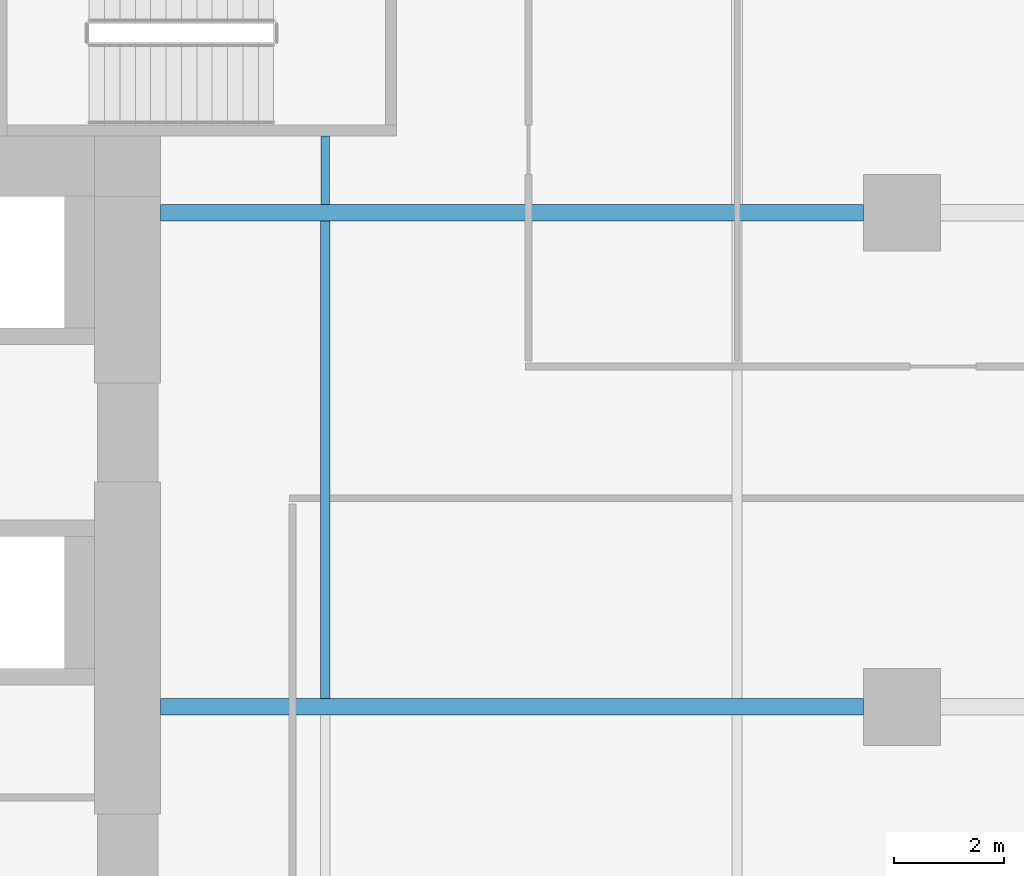
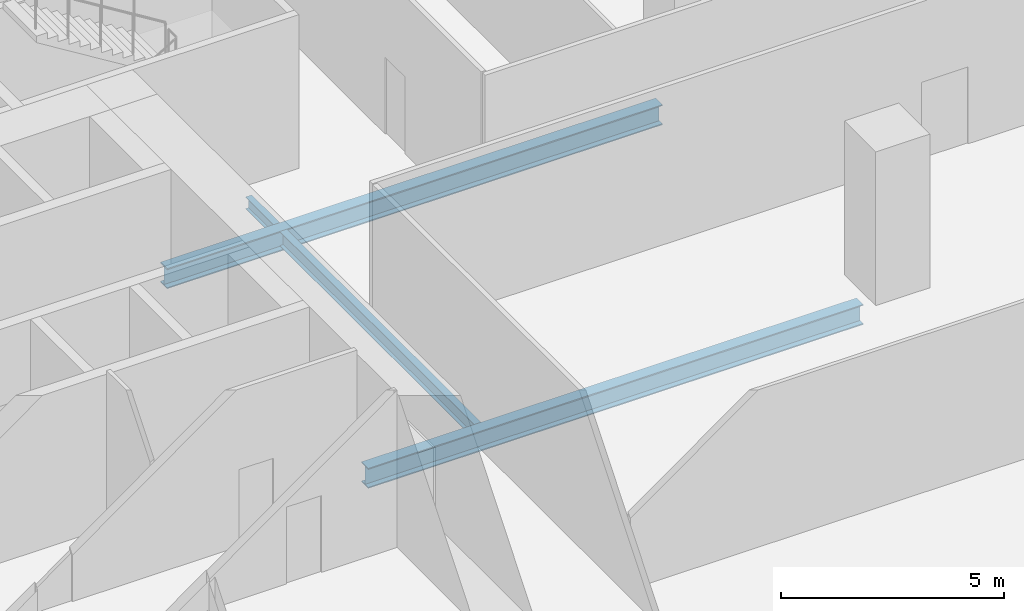
# One storey, part 13 of 33: 4 beams.
"""IFC4 building model written with IfcOpenShell, lengths in metres."""

from ifc_helpers import new_model, si_unit, direction, frame, origin, origin_2d, place, context, subcontext, project, spatial, i_section, extrude, source, transform, mapped, material, material_profile, profile_set, type_object, element, save


model = new_model("IFC4")

# Units and contexts
model_context = context("Model", 3, precision=1e-05, world=origin(), true_north=direction((0.0, 1.0)))
body_context = subcontext(model_context, "Body", "Model", "MODEL_VIEW")
ifc_project = project(units=[si_unit("LENGTHUNIT", "METRE"), si_unit("AREAUNIT", "SQUARE_METRE"), si_unit("VOLUMEUNIT", "CUBIC_METRE"), si_unit("PLANEANGLEUNIT", "RADIAN"), si_unit("MASSUNIT", "GRAM", prefix="KILO")], contexts=[model_context])

# Site, building, storey
site_placement = place(None, origin())
site = spatial("IfcSite", under=ifc_project, at=site_placement, CompositionType="ELEMENT")
building_placement = place(site_placement, origin())
building = spatial("IfcBuilding", under=site, at=building_placement, Name="Khomas Fold Tower", CompositionType="ELEMENT")
storey_placement = place(building_placement, frame((0.0, 0.0, 55.5)))
storey = spatial("IfcBuildingStorey", under=building, at=storey_placement, Name="L11", CompositionType="ELEMENT", Elevation=55.5)

# Beams
ifc_material_1 = material(Name="Steel S355", Category="steel")
ifc_material_profile_1 = material_profile(ifc_material_1, i_section(OverallWidth=0.300048828125, OverallDepth=0.550048828125, WebThickness=0.014892578125, FlangeThickness=0.029052734375, at=origin_2d()), Name="HE 550 B")
ifc_profile_set_1 = profile_set([ifc_material_profile_1], Name="Steel S355")
beam_type_1 = type_object("IfcBeamType", Name="HE 550 B beam GB4", PredefinedType="BEAM", material=ifc_profile_set_1)
shared_shape_1 = source(origin(), body_context, "Body", "SweptSolid", [
    extrude(i_section(OverallWidth=0.300048828125, OverallDepth=0.550048828125, WebThickness=0.014892578125, FlangeThickness=0.029052734375, at=origin_2d()), origin(), (0.0, 0.0, 1.0), 12.800048828125),
])
for number, where, z_axis, x_axis, name in (
    (1, (24.0, 31.5, -0.574951171875), (1.0, 0.0, 0.0), (0.0, 1.0, 0.0), "GB4"),
    (2, (24.0, 40.5, -0.574951171875), (1.0, 0.0, 0.0), (0.0, 1.0, 0.0), "GB4"),
):
    element("IfcBeam", number, at=place(storey_placement, frame(where, z_axis=z_axis, x_axis=x_axis)), inside=storey, type_object=beam_type_1, Name=name, PredefinedType="BEAM", context=body_context, shape_type="MappedRepresentation", body=[
        mapped(shared_shape_1, transform((0.0, 0.0, 0.0))),
    ])
ifc_material_2 = material(Name="Steel S355", Category="steel")
ifc_material_profile_2 = material_profile(ifc_material_2, i_section(OverallWidth=0.179931640625, OverallDepth=0.39990234375, WebThickness=0.008544921875, FlangeThickness=0.013427734375, at=origin_2d()), Name="IPE 400")
ifc_profile_set_2 = profile_set([ifc_material_profile_2], Name="Steel S355")
beam_type_2 = type_object("IfcBeamType", Name="IPE 400 beam JB3", PredefinedType="BEAM", material=ifc_profile_set_2)
shared_shape_2 = source(origin(), body_context, "Body", "SweptSolid", [
    extrude(i_section(OverallWidth=0.179931640625, OverallDepth=0.39990234375, WebThickness=0.008544921875, FlangeThickness=0.013427734375, at=origin_2d()), origin(), (0.0, 0.0, 1.0), 8.7001953125),
])
beam_1_placement = place(storey_placement, frame((27.0, 31.64990234375, -0.5), z_axis=(0.0, 1.0, 0.0), x_axis=(-1.0, 0.0, 0.0)))
element("IfcBeam", 3, at=beam_1_placement, inside=storey, type_object=beam_type_2, Name="JB3", PredefinedType="BEAM", context=body_context, shape_type="MappedRepresentation", body=[
    mapped(shared_shape_2, transform((0.0, 0.0, 0.0))),
])
ifc_material_3 = material(Name="Steel S355", Category="steel")
ifc_material_profile_3 = material_profile(ifc_material_3, i_section(OverallWidth=0.159912109375, OverallDepth=0.330078125, WebThickness=0.007568359375, FlangeThickness=0.011474609375, at=origin_2d()), Name="IPE 330")
ifc_profile_set_3 = profile_set([ifc_material_profile_3], Name="Steel S355")
beam_type_3 = type_object("IfcBeamType", Name="IPE 330 beam JB1", PredefinedType="BEAM", material=ifc_profile_set_3)
shared_shape_3 = source(origin(), body_context, "Body", "SweptSolid", [
    extrude(i_section(OverallWidth=0.159912109375, OverallDepth=0.330078125, WebThickness=0.007568359375, FlangeThickness=0.011474609375, at=origin_2d()), origin(), (0.0, 0.0, 1.0), 1.25),
])
beam_2_placement = place(storey_placement, frame((27.0, 40.64990234375, -0.465087890625), z_axis=(0.0, 1.0, 0.0), x_axis=(-1.0, 0.0, 0.0)))
element("IfcBeam", 4, at=beam_2_placement, inside=storey, type_object=beam_type_3, Name="JB1", PredefinedType="BEAM", context=body_context, shape_type="MappedRepresentation", body=[
    mapped(shared_shape_3, transform((0.0, 0.0, 0.0))),
])

save(model, "model.ifc")
